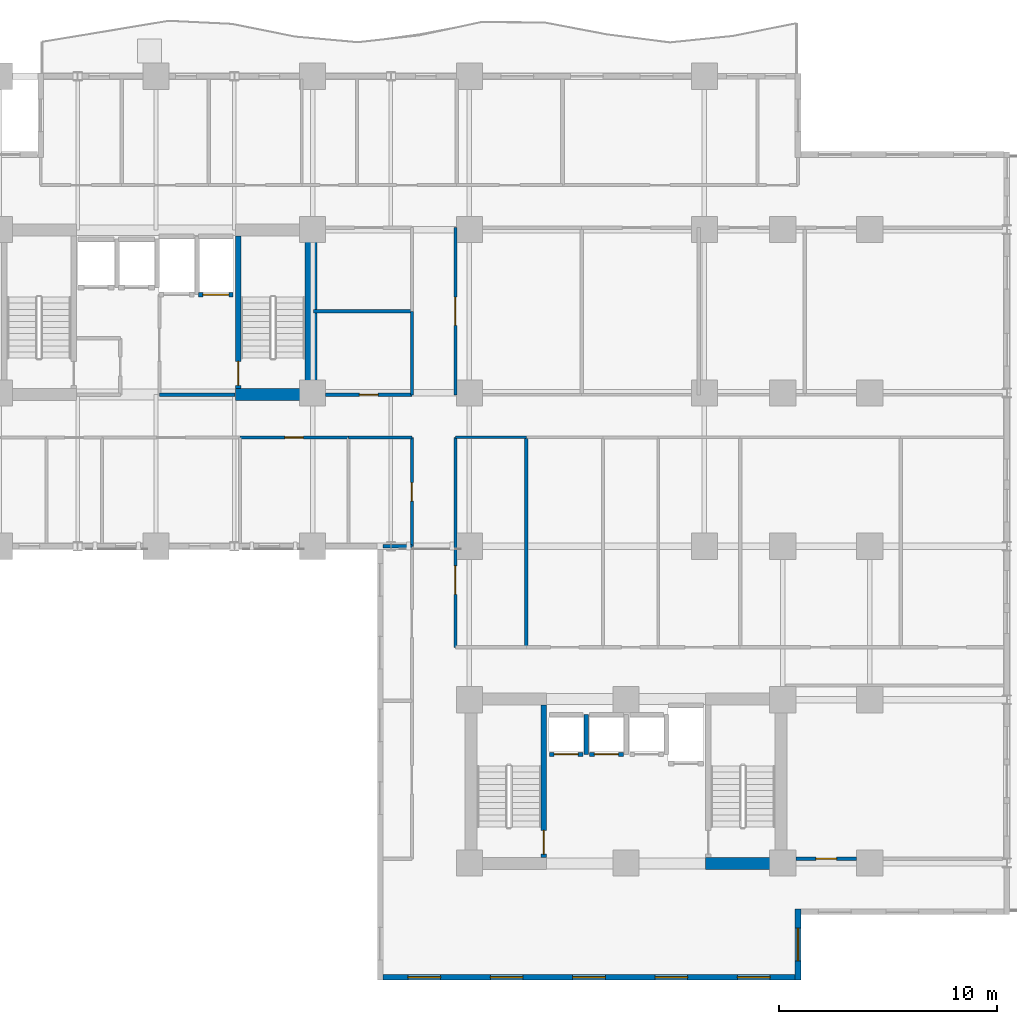
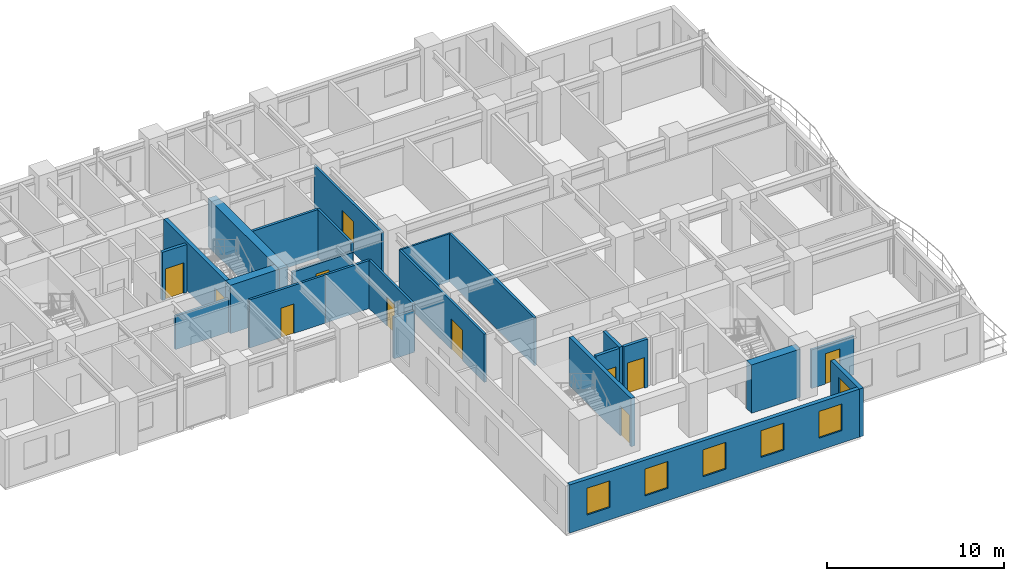
# One storey, part 4 of 11: 24 walls, 11 doors, 6 windows, 17 openings.
"""IFC4 building model written with IfcOpenShell, lengths in metres."""

from ifc_helpers import new_model, si_unit, direction, frame, frame_2d, origin, place, context, subcontext, project, spatial, rectangle, extrude, material, layer, layer_set, type_object, element, fill, save


model = new_model("IFC4")

# Units and contexts
model_context = context("Model", 3, precision=1e-05, world=origin(), true_north=direction((0.0, 1.0)))
body_context = subcontext(model_context, "Body", "Model", "MODEL_VIEW")
ifc_project = project(units=[si_unit("LENGTHUNIT", "METRE"), si_unit("AREAUNIT", "SQUARE_METRE"), si_unit("VOLUMEUNIT", "CUBIC_METRE"), si_unit("PLANEANGLEUNIT", "RADIAN"), si_unit("MASSUNIT", "GRAM", prefix="KILO")], contexts=[model_context])

# Site, building, storey
site_placement = place(None, origin())
site = spatial("IfcSite", under=ifc_project, at=site_placement, CompositionType="ELEMENT")
building_placement = place(site_placement, origin())
building = spatial("IfcBuilding", under=site, at=building_placement, Name="Kaliganga Portal Commons", CompositionType="ELEMENT")
storey_placement = place(building_placement, frame((0.0, 0.0, 126.699951171875)))
storey = spatial("IfcBuildingStorey", under=building, at=storey_placement, Name="L32", CompositionType="ELEMENT", Elevation=126.699951171875)

# Walls
ifc_material_1 = material(Name="Concrete C60/75", Category="concrete")
ifc_layer_1 = layer(ifc_material_1, 0.550048828125)
ifc_layer_set_1 = layer_set([ifc_layer_1], Name="Concrete C60/75")
wall_type_1 = type_object("IfcWallType", Name="WL-CORE-550", PredefinedType="SHEAR", material=ifc_layer_set_1)
wall_1_placement = place(storey_placement, frame((28.72509765625, 28.300048828125, 0.0), z_axis=(0.0, 0.0, 1.0), x_axis=(0.0, 1.0, 0.0)))
element("IfcWall", 1, at=wall_1_placement, inside=storey, type_object=wall_type_1, Name="Core A East Shear Wall L32", PredefinedType="SHEAR", context=body_context, shape_type="SweptSolid", body=[
    extrude(rectangle(XDim=8.099853515625, YDim=0.550048828125, at=frame_2d((4.0498046875, 0.0))), origin(), (0.0, 0.0, 1.0), 3.340087890625),
])
for number, where, z_axis, x_axis, name in (
    (2, (25.25, 28.574951171875, 0.0), (0.0, 0.0, 1.0), (1.0, 0.0, 0.0), "Core A S-East Shear Wall L32"),
    (3, (46.85009765625, 7.02490234375, 0.0), (0.0, 0.0, 1.0), (1.0, 0.0, 0.0), "Core B S-East Shear Wall L32"),
):
    element("IfcWall", number, at=place(storey_placement, frame(where, z_axis=z_axis, x_axis=x_axis)), inside=storey, type_object=wall_type_1, Name=name, PredefinedType="SHEAR", context=body_context, shape_type="SweptSolid", body=[
        extrude(rectangle(XDim=3.199951171875, YDim=0.550048828125, at=frame_2d((1.60009765625, 0.0))), origin(), (0.0, 0.0, 1.0), 3.340087890625),
    ])

# Wall, openings, windows
ifc_material_2 = material(Name="Insulated Aluminium-Clad Spandrel Assembly", Category="aluminium")
ifc_layer_2 = layer(ifc_material_2, 0.260009765625)
ifc_layer_set_2 = layer_set([ifc_layer_2], Name="Insulated Aluminium-Clad Spandrel Assembly")
wall_type_2 = type_object("IfcWallType", Name="WL-EXT-SPAND-260", PredefinedType="STANDARD", material=ifc_layer_set_2)
wall_2_placement = place(storey_placement, frame((50.965087890625, 1.800048828125, 0.0), z_axis=(0.0, 0.0, 1.0), x_axis=(-1.0, 0.0, 0.0)))
wall_2 = element("IfcWall", 4, at=wall_2_placement, inside=storey, type_object=wall_type_2, Name="Exterior Envelope Wall L32 P1-E00-S1", PredefinedType="STANDARD", context=body_context, shape_type="SweptSolid", body=[
    extrude(rectangle(XDim=18.93017578125, YDim=0.260009765625, at=frame_2d((9.465087890625, 0.0))), origin(), (0.0, 0.0, 1.0), 3.320068359375),
])
opening_1_placement = place(wall_2_placement, frame((1.14306640625, 0.0, 0.85009765625)))
opening_1 = element("IfcOpeningElement", 5, at=opening_1_placement, cuts=wall_2, Name="Opening W-02", PredefinedType="OPENING", context=body_context, shape_type="SweptSolid", body=[
    extrude(rectangle(XDim=1.5, YDim=1.85009765625, at=frame_2d((0.75, 0.925048828125))), frame((0.0, 0.14013671875, 0.0), z_axis=(0.0, -1.0, 0.0), x_axis=(1.0, 0.0, 0.0)), (0.0, 0.0, 1.0), 0.280029296875),
])
opening_2_placement = place(wall_2_placement, frame((4.928955078125, 0.0, 0.85009765625)))
opening_2 = element("IfcOpeningElement", 6, at=opening_2_placement, cuts=wall_2, Name="Opening W-02", PredefinedType="OPENING", context=body_context, shape_type="SweptSolid", body=[
    extrude(rectangle(XDim=1.5, YDim=1.85009765625, at=frame_2d((0.75, 0.925048828125))), frame((0.0, 0.14013671875, 0.0), z_axis=(0.0, -1.0, 0.0), x_axis=(1.0, 0.0, 0.0)), (0.0, 0.0, 1.0), 0.280029296875),
])
opening_3_placement = place(wall_2_placement, frame((8.715087890625, 0.0, 0.85009765625)))
opening_3 = element("IfcOpeningElement", 7, at=opening_3_placement, cuts=wall_2, Name="Opening W-02", PredefinedType="OPENING", context=body_context, shape_type="SweptSolid", body=[
    extrude(rectangle(XDim=1.5, YDim=1.85009765625, at=frame_2d((0.75, 0.925048828125))), frame((0.0, 0.14013671875, 0.0), z_axis=(0.0, -1.0, 0.0), x_axis=(1.0, 0.0, 0.0)), (0.0, 0.0, 1.0), 0.280029296875),
])
opening_4_placement = place(wall_2_placement, frame((12.5009765625, 0.0, 0.85009765625)))
opening_4 = element("IfcOpeningElement", 8, at=opening_4_placement, cuts=wall_2, Name="Opening W-02", PredefinedType="OPENING", context=body_context, shape_type="SweptSolid", body=[
    extrude(rectangle(XDim=1.5, YDim=1.85009765625, at=frame_2d((0.75, 0.925048828125))), frame((0.0, 0.14013671875, 0.0), z_axis=(0.0, -1.0, 0.0), x_axis=(1.0, 0.0, 0.0)), (0.0, 0.0, 1.0), 0.280029296875),
])
opening_5_placement = place(wall_2_placement, frame((16.287109375, 0.0, 0.85009765625)))
opening_5 = element("IfcOpeningElement", 9, at=opening_5_placement, cuts=wall_2, Name="Opening W-02", PredefinedType="OPENING", context=body_context, shape_type="SweptSolid", body=[
    extrude(rectangle(XDim=1.5, YDim=1.85009765625, at=frame_2d((0.75, 0.925048828125))), frame((0.0, 0.14013671875, 0.0), z_axis=(0.0, -1.0, 0.0), x_axis=(1.0, 0.0, 0.0)), (0.0, 0.0, 1.0), 0.280029296875),
])
ifc_material_3 = material(Name="Thermally Broken Aluminium and Low-E Double Glazing", Category="aluminium")
window_type = type_object("IfcWindowType", Name="WIN-STD-1500", PartitioningType="DOUBLE_PANEL_VERTICAL", PredefinedType="WINDOW", material=ifc_material_3)
window_1_placement = place(opening_1_placement, origin())
window_1 = element("IfcWindow", 10, at=window_1_placement, inside=storey, type_object=window_type, Name="Facade Window L32-P1E00S1-00", OverallHeight=1.85009765625, OverallWidth=1.5, PartitioningType="SINGLE_PANEL", PredefinedType="WINDOW", context=body_context, shape_type="SweptSolid", body=[
    extrude(rectangle(XDim=1.5, YDim=1.85009765625, at=frame_2d((0.75, 0.925048828125))), frame((0.0, 0.030029296875, 0.0), z_axis=(0.0, -1.0, 0.0), x_axis=(1.0, 0.0, 0.0)), (0.0, 0.0, 1.0), 0.06005859375),
])
fill(opening_1, window_1)
window_2_placement = place(opening_2_placement, origin())
window_2 = element("IfcWindow", 11, at=window_2_placement, inside=storey, type_object=window_type, Name="Facade Window L32-P1E00S1-01", OverallHeight=1.85009765625, OverallWidth=1.5, PartitioningType="SINGLE_PANEL", PredefinedType="WINDOW", context=body_context, shape_type="SweptSolid", body=[
    extrude(rectangle(XDim=1.5, YDim=1.85009765625, at=frame_2d((0.75, 0.925048828125))), frame((0.0, 0.030029296875, 0.0), z_axis=(0.0, -1.0, 0.0), x_axis=(1.0, 0.0, 0.0)), (0.0, 0.0, 1.0), 0.06005859375),
])
fill(opening_2, window_2)
window_3_placement = place(opening_3_placement, origin())
window_3 = element("IfcWindow", 12, at=window_3_placement, inside=storey, type_object=window_type, Name="Facade Window L32-P1E00S1-02", OverallHeight=1.85009765625, OverallWidth=1.5, PartitioningType="SINGLE_PANEL", PredefinedType="WINDOW", context=body_context, shape_type="SweptSolid", body=[
    extrude(rectangle(XDim=1.5, YDim=1.85009765625, at=frame_2d((0.75, 0.925048828125))), frame((0.0, 0.030029296875, 0.0), z_axis=(0.0, -1.0, 0.0), x_axis=(1.0, 0.0, 0.0)), (0.0, 0.0, 1.0), 0.06005859375),
])
fill(opening_3, window_3)
window_4_placement = place(opening_4_placement, origin())
window_4 = element("IfcWindow", 13, at=window_4_placement, inside=storey, type_object=window_type, Name="Facade Window L32-P1E00S1-03", OverallHeight=1.85009765625, OverallWidth=1.5, PartitioningType="SINGLE_PANEL", PredefinedType="WINDOW", context=body_context, shape_type="SweptSolid", body=[
    extrude(rectangle(XDim=1.5, YDim=1.85009765625, at=frame_2d((0.75, 0.925048828125))), frame((0.0, 0.030029296875, 0.0), z_axis=(0.0, -1.0, 0.0), x_axis=(1.0, 0.0, 0.0)), (0.0, 0.0, 1.0), 0.06005859375),
])
fill(opening_4, window_4)
window_5_placement = place(opening_5_placement, origin())
window_5 = element("IfcWindow", 14, at=window_5_placement, inside=storey, type_object=window_type, Name="Facade Window L32-P1E00S1-04", OverallHeight=1.85009765625, OverallWidth=1.5, PartitioningType="SINGLE_PANEL", PredefinedType="WINDOW", context=body_context, shape_type="SweptSolid", body=[
    extrude(rectangle(XDim=1.5, YDim=1.85009765625, at=frame_2d((0.75, 0.925048828125))), frame((0.0, 0.030029296875, 0.0), z_axis=(0.0, -1.0, 0.0), x_axis=(1.0, 0.0, 0.0)), (0.0, 0.0, 1.0), 0.06005859375),
])
fill(opening_5, window_5)

# Wall, opening, window
wall_3_placement = place(storey_placement, frame((51.10009765625, 4.929931640625, 0.0), z_axis=(0.0, 0.0, 1.0), x_axis=(0.0, -1.0, 0.0)))
wall_3 = element("IfcWall", 15, at=wall_3_placement, inside=storey, type_object=wall_type_2, Name="Exterior Envelope Wall L32 P1-E01-S1", PredefinedType="STANDARD", context=body_context, shape_type="SweptSolid", body=[
    extrude(rectangle(XDim=3.260009765625, YDim=0.260009765625, at=frame_2d((1.6298828125, 0.0))), origin(), (0.0, 0.0, 1.0), 3.320068359375),
])
opening_6_placement = place(wall_3_placement, frame((0.8798828125, 0.0, 0.85009765625)))
opening_6 = element("IfcOpeningElement", 16, at=opening_6_placement, cuts=wall_3, Name="Opening W-02", PredefinedType="OPENING", context=body_context, shape_type="SweptSolid", body=[
    extrude(rectangle(XDim=1.5, YDim=1.85009765625, at=frame_2d((0.75, 0.925048828125))), frame((0.0, 0.14013671875, 0.0), z_axis=(0.0, -1.0, 0.0), x_axis=(1.0, 0.0, 0.0)), (0.0, 0.0, 1.0), 0.280029296875),
])
window_6_placement = place(opening_6_placement, origin())
window_6 = element("IfcWindow", 17, at=window_6_placement, inside=storey, type_object=window_type, Name="Facade Window L32-P1E01S1-00", OverallHeight=1.85009765625, OverallWidth=1.5, PartitioningType="SINGLE_PANEL", PredefinedType="WINDOW", context=body_context, shape_type="SweptSolid", body=[
    extrude(rectangle(XDim=1.5, YDim=1.85009765625, at=frame_2d((0.75, 0.925048828125))), frame((0.0, 0.030029296875, 0.0), z_axis=(0.0, -1.0, 0.0), x_axis=(1.0, 0.0, 0.0)), (0.0, 0.0, 1.0), 0.06005859375),
])
fill(opening_6, window_6)

# Wall, opening, door
ifc_material_4 = material(Name="Fire-Rated Gypsum Board on Steel Stud", Category="steel")
ifc_layer_3 = layer(ifc_material_4, 0.14990234375)
ifc_layer_set_3 = layer_set([ifc_layer_3], Name="Fire-Rated Gypsum Board on Steel Stud")
wall_type_3 = type_object("IfcWallType", Name="WL-PART-CORR-150", PredefinedType="PARTITIONING", material=ifc_layer_set_3)
wall_4_placement = place(storey_placement, frame((51.0, 7.239990234375, 0.0), z_axis=(0.0, 0.0, 1.0), x_axis=(1.0, 0.0, 0.0)))
wall_4 = element("IfcWall", 18, at=wall_4_placement, inside=storey, type_object=wall_type_3, Name="Interior Partition L32-001", PredefinedType="PARTITIONING", context=body_context, shape_type="SweptSolid", body=[
    extrude(rectangle(XDim=2.800048828125, YDim=0.14990234375, at=frame_2d((1.39990234375, 0.0))), origin(), (0.0, 0.0, 1.0), 2.670166015625),
])
opening_7_placement = place(wall_4_placement, frame((0.925048828125, 0.0, 0.0)))
opening_7 = element("IfcOpeningElement", 19, at=opening_7_placement, cuts=wall_4, Name="Opening UD-01", PredefinedType="OPENING", context=body_context, shape_type="SweptSolid", body=[
    extrude(rectangle(XDim=0.949951171875, YDim=2.10009765625, at=frame_2d((0.47509765625, 1.050048828125))), frame((0.0, 0.0849609375, 0.0), z_axis=(0.0, -1.0, 0.0), x_axis=(1.0, 0.0, 0.0)), (0.0, 0.0, 1.0), 0.169921875),
])
ifc_material_5 = material(Name="Solid-Core Timber Acoustic Fire Door", Category="wood")
door_type_1 = type_object("IfcDoorType", Name="DR-UNIT-950", OperationType="NOTDEFINED", PredefinedType="DOOR", material=ifc_material_5)
door_1_placement = place(opening_7_placement, origin())
door_1 = element("IfcDoor", 20, at=door_1_placement, inside=storey, type_object=door_type_1, Name="Interior Door L32-BE01", OperationType="SINGLE_SWING_RIGHT", OverallHeight=2.10009765625, OverallWidth=0.949951171875, PredefinedType="DOOR", context=body_context, shape_type="SweptSolid", body=[
    extrude(rectangle(XDim=0.949951171875, YDim=2.10009765625, at=frame_2d((0.47509765625, 1.050048828125))), frame((0.0, 0.02490234375, 0.0), z_axis=(0.0, -1.0, 0.0), x_axis=(1.0, 0.0, 0.0)), (0.0, 0.0, 1.0), 0.050048828125),
])
fill(opening_7, door_1)

wall_5_placement = place(storey_placement, frame((35.360107421875, 16.9599609375, 0.0), z_axis=(0.0, 0.0, 1.0), x_axis=(0.0, 1.0, 0.0)))
wall_5 = element("IfcWall", 21, at=wall_5_placement, inside=storey, type_object=wall_type_3, Name="Interior Partition L32-004", PredefinedType="PARTITIONING", context=body_context, shape_type="SweptSolid", body=[
    extrude(rectangle(XDim=9.64013671875, YDim=0.14990234375, at=frame_2d((4.820068359375, 0.0))), origin(), (0.0, 0.0, 1.0), 3.320068359375),
])
opening_8_placement = place(wall_5_placement, frame((2.434814453125, 0.0, 0.0)))
opening_8 = element("IfcOpeningElement", 22, at=opening_8_placement, cuts=wall_5, Name="Opening RD-03", PredefinedType="OPENING", context=body_context, shape_type="SweptSolid", body=[
    extrude(rectangle(XDim=1.300048828125, YDim=2.1201171875, at=frame_2d((0.64990234375, 1.06005859375))), frame((0.0, 0.0849609375, 0.0), z_axis=(0.0, -1.0, 0.0), x_axis=(1.0, 0.0, 0.0)), (0.0, 0.0, 1.0), 0.169921875),
])
ifc_material_6 = material(Name="Glazed Timber Seminar Vision Door", Category="wood")
door_type_2 = type_object("IfcDoorType", Name="DR-STUDY-1300", OperationType="DOUBLE_DOOR_SINGLE_SWING", PredefinedType="DOOR", material=ifc_material_6)
door_2_placement = place(opening_8_placement, origin())
door_2 = element("IfcDoor", 23, at=door_2_placement, inside=storey, type_object=door_type_2, Name="Interior Door L32-BM01", OperationType="DOUBLE_DOOR_SINGLE_SWING", OverallHeight=2.1201171875, OverallWidth=1.300048828125, PredefinedType="DOOR", context=body_context, shape_type="SweptSolid", body=[
    extrude(rectangle(XDim=1.300048828125, YDim=2.1201171875, at=frame_2d((0.64990234375, 1.06005859375))), frame((0.0, 0.02490234375, 0.0), z_axis=(0.0, -1.0, 0.0), x_axis=(1.0, 0.0, 0.0)), (0.0, 0.0, 1.0), 0.050048828125),
])
fill(opening_8, door_2)

wall_6_placement = place(storey_placement, frame((35.360107421875, 28.56005859375, 0.0), z_axis=(0.0, 0.0, 1.0), x_axis=(0.0, 1.0, 0.0)))
wall_6 = element("IfcWall", 24, at=wall_6_placement, inside=storey, type_object=wall_type_3, Name="Interior Partition L32-008", PredefinedType="PARTITIONING", context=body_context, shape_type="SweptSolid", body=[
    extrude(rectangle(XDim=7.679931640625, YDim=0.14990234375, at=frame_2d((3.83984375, 0.0))), origin(), (0.0, 0.0, 1.0), 3.320068359375),
])
opening_9_placement = place(wall_6_placement, frame((3.18994140625, 0.0, 0.0)))
opening_9 = element("IfcOpeningElement", 25, at=opening_9_placement, cuts=wall_6, Name="Opening RD-03", PredefinedType="OPENING", context=body_context, shape_type="SweptSolid", body=[
    extrude(rectangle(XDim=1.300048828125, YDim=2.1201171875, at=frame_2d((0.64990234375, 1.06005859375))), frame((0.0, 0.0849609375, 0.0), z_axis=(0.0, -1.0, 0.0), x_axis=(1.0, 0.0, 0.0)), (0.0, 0.0, 1.0), 0.169921875),
])
door_3_placement = place(opening_9_placement, origin())
door_3 = element("IfcDoor", 26, at=door_3_placement, inside=storey, type_object=door_type_2, Name="Interior Door L32-BK01", OperationType="DOUBLE_DOOR_SINGLE_SWING", OverallHeight=2.1201171875, OverallWidth=1.300048828125, PredefinedType="DOOR", context=body_context, shape_type="SweptSolid", body=[
    extrude(rectangle(XDim=1.300048828125, YDim=2.1201171875, at=frame_2d((0.64990234375, 1.06005859375))), frame((0.0, 0.02490234375, 0.0), z_axis=(0.0, -1.0, 0.0), x_axis=(1.0, 0.0, 0.0)), (0.0, 0.0, 1.0), 0.050048828125),
])
fill(opening_9, door_3)

wall_7_placement = place(storey_placement, frame((33.360107421875, 21.60009765625, 0.0), z_axis=(0.0, 0.0, 1.0), x_axis=(0.0, 1.0, 0.0)))
wall_7 = element("IfcWall", 27, at=wall_7_placement, inside=storey, type_object=wall_type_3, Name="Interior Partition L32-016", PredefinedType="PARTITIONING", context=body_context, shape_type="SweptSolid", body=[
    extrude(rectangle(XDim=5.0, YDim=0.14990234375, at=frame_2d((2.5, 0.0))), origin(), (0.0, 0.0, 1.0), 3.320068359375),
])
opening_10_placement = place(wall_7_placement, frame((2.070068359375, 0.0, 0.0)))
opening_10 = element("IfcOpeningElement", 28, at=opening_10_placement, cuts=wall_7, Name="Opening WD-02", PredefinedType="OPENING", context=body_context, shape_type="SweptSolid", body=[
    extrude(rectangle(XDim=0.860107421875, YDim=2.02001953125, at=frame_2d((0.43017578125, 1.010009765625))), frame((0.0, 0.0849609375, 0.0), z_axis=(0.0, -1.0, 0.0), x_axis=(1.0, 0.0, 0.0)), (0.0, 0.0, 1.0), 0.169921875),
])
ifc_material_7 = material(Name="Fire-Rated Utility Closet Door", Category="wood")
door_type_3 = type_object("IfcDoorType", Name="DR-STORE-800", OperationType="NOTDEFINED", PredefinedType="DOOR", material=ifc_material_7)
door_4_placement = place(opening_10_placement, origin())
door_4 = element("IfcDoor", 29, at=door_4_placement, inside=storey, type_object=door_type_3, Name="Interior Door L32-AS06", OperationType="SINGLE_SWING_LEFT", OverallHeight=2.02001953125, OverallWidth=0.860107421875, PredefinedType="DOOR", context=body_context, shape_type="SweptSolid", body=[
    extrude(rectangle(XDim=0.860107421875, YDim=2.02001953125, at=frame_2d((0.43017578125, 1.010009765625))), frame((0.0, 0.02490234375, 0.0), z_axis=(0.0, -1.0, 0.0), x_axis=(1.0, 0.0, 0.0)), (0.0, 0.0, 1.0), 0.050048828125),
])
fill(opening_10, door_4)

wall_8_placement = place(storey_placement, frame((25.4599609375, 26.60009765625, 0.0), z_axis=(0.0, 0.0, 1.0), x_axis=(1.0, 0.0, 0.0)))
wall_8 = element("IfcWall", 30, at=wall_8_placement, inside=storey, type_object=wall_type_3, Name="Interior Partition L32-017", PredefinedType="PARTITIONING", context=body_context, shape_type="SweptSolid", body=[
    extrude(rectangle(XDim=4.97998046875, YDim=0.14990234375, at=frame_2d((2.489990234375, 0.0))), origin(), (0.0, 0.0, 1.0), 3.320068359375),
])
opening_11_placement = place(wall_8_placement, frame((2.06494140625, 0.0, 0.0)))
opening_11 = element("IfcOpeningElement", 31, at=opening_11_placement, cuts=wall_8, Name="Opening WD-01", PredefinedType="OPENING", context=body_context, shape_type="SweptSolid", body=[
    extrude(rectangle(XDim=0.85009765625, YDim=2.0400390625, at=frame_2d((0.425048828125, 1.02001953125))), frame((0.0, 0.0849609375, 0.0), z_axis=(0.0, -1.0, 0.0), x_axis=(1.0, 0.0, 0.0)), (0.0, 0.0, 1.0), 0.169921875),
])
ifc_material_8 = material(Name="Moisture-Resistant Laminate Timber Door", Category="wood")
door_type_4 = type_object("IfcDoorType", Name="DR-WET-850", OperationType="NOTDEFINED", PredefinedType="DOOR", material=ifc_material_8)
door_5_placement = place(opening_11_placement, origin())
door_5 = element("IfcDoor", 32, at=door_5_placement, inside=storey, type_object=door_type_4, Name="Interior Door L32-AS05", OperationType="SINGLE_SWING_RIGHT", OverallHeight=2.0400390625, OverallWidth=0.85009765625, PredefinedType="DOOR", context=body_context, shape_type="SweptSolid", body=[
    extrude(rectangle(XDim=0.85009765625, YDim=2.0400390625, at=frame_2d((0.425048828125, 1.02001953125))), frame((0.0, 0.02490234375, 0.0), z_axis=(0.0, -1.0, 0.0), x_axis=(1.0, 0.0, 0.0)), (0.0, 0.0, 1.0), 0.050048828125),
])
fill(opening_11, door_5)

wall_9_placement = place(storey_placement, frame((29.39990234375, 28.56005859375, 0.0), z_axis=(0.0, 0.0, 1.0), x_axis=(1.0, 0.0, 0.0)))
wall_9 = element("IfcWall", 33, at=wall_9_placement, inside=storey, type_object=wall_type_3, Name="Interior Partition L32-024", PredefinedType="PARTITIONING", context=body_context, shape_type="SweptSolid", body=[
    extrude(rectangle(XDim=3.960205078125, YDim=0.14990234375, at=frame_2d((1.97998046875, 0.0))), origin(), (0.0, 0.0, 1.0), 2.670166015625),
])
opening_12_placement = place(wall_9_placement, frame((1.550048828125, 0.0, 0.0)))
opening_12 = element("IfcOpeningElement", 34, at=opening_12_placement, cuts=wall_9, Name="Opening WD-02", PredefinedType="OPENING", context=body_context, shape_type="SweptSolid", body=[
    extrude(rectangle(XDim=0.860107421875, YDim=2.02001953125, at=frame_2d((0.43017578125, 1.010009765625))), frame((0.0, 0.0849609375, 0.0), z_axis=(0.0, -1.0, 0.0), x_axis=(1.0, 0.0, 0.0)), (0.0, 0.0, 1.0), 0.169921875),
])
door_6_placement = place(opening_12_placement, origin())
door_6 = element("IfcDoor", 35, at=door_6_placement, inside=storey, type_object=door_type_3, Name="Interior Door L32-CSRV_A1", OperationType="SINGLE_SWING_RIGHT", OverallHeight=2.02001953125, OverallWidth=0.860107421875, PredefinedType="DOOR", context=body_context, shape_type="SweptSolid", body=[
    extrude(rectangle(XDim=0.860107421875, YDim=2.02001953125, at=frame_2d((0.43017578125, 1.010009765625))), frame((0.0, 0.02490234375, 0.0), z_axis=(0.0, -1.0, 0.0), x_axis=(1.0, 0.0, 0.0)), (0.0, 0.0, 1.0), 0.050048828125),
])
fill(opening_12, door_6)

# Walls
wall_10_placement = place(storey_placement, frame((33.360107421875, 28.56005859375, 0.0), z_axis=(0.0, 0.0, 1.0), x_axis=(0.0, 1.0, 0.0)))
element("IfcWall", 36, at=wall_10_placement, inside=storey, type_object=wall_type_3, Name="Interior Partition L32-029", PredefinedType="PARTITIONING", context=body_context, shape_type="SweptSolid", body=[
    extrude(rectangle(XDim=3.83984375, YDim=0.14990234375, at=frame_2d((1.919921875, 0.0))), origin(), (0.0, 0.0, 1.0), 3.320068359375),
])
wall_11_placement = place(storey_placement, frame((30.43994140625, 26.60009765625, 0.0), z_axis=(0.0, 0.0, 1.0), x_axis=(1.0, 0.0, 0.0)))
element("IfcWall", 37, at=wall_11_placement, inside=storey, type_object=wall_type_3, Name="Interior Partition L32-034", PredefinedType="PARTITIONING", context=body_context, shape_type="SweptSolid", body=[
    extrude(rectangle(XDim=2.920166015625, YDim=0.14990234375, at=frame_2d((1.4599609375, 0.0))), origin(), (0.0, 0.0, 1.0), 3.320068359375),
])
wall_12_placement = place(storey_placement, frame((21.760009765625, 28.56005859375, 0.0), z_axis=(0.0, 0.0, 1.0), x_axis=(1.0, 0.0, 0.0)))
element("IfcWall", 38, at=wall_12_placement, inside=storey, type_object=wall_type_3, Name="Interior Partition L32-077", PredefinedType="PARTITIONING", context=body_context, shape_type="SweptSolid", body=[
    extrude(rectangle(XDim=3.47998046875, YDim=0.14990234375, at=frame_2d((1.739990234375, 0.0))), origin(), (0.0, 0.0, 1.0), 2.320068359375),
])
ifc_material_9 = material(Name="Moisture-Resistant Gypsum Partition", Category="gypsum")
ifc_layer_4 = layer(ifc_material_9, 0.114990234375)
ifc_layer_set_4 = layer_set([ifc_layer_4], Name="Moisture-Resistant Gypsum Partition")
wall_type_4 = type_object("IfcWallType", Name="WL-PART-ROOM-115", PredefinedType="PARTITIONING", material=ifc_layer_set_4)
wall_13_placement = place(storey_placement, frame((35.360107421875, 26.60009765625, 0.0), z_axis=(0.0, 0.0, 1.0), x_axis=(1.0, 0.0, 0.0)))
element("IfcWall", 39, at=wall_13_placement, inside=storey, type_object=wall_type_4, Name="Interior Partition L32-078", PredefinedType="PARTITIONING", context=body_context, shape_type="SweptSolid", body=[
    extrude(rectangle(XDim=3.260009765625, YDim=0.114990234375, at=frame_2d((1.6298828125, 0.0))), origin(), (0.0, 0.0, 1.0), 3.320068359375),
])
ifc_material_10 = material(Name="Twin-Stud Acoustic Gypsum Partition", Category="gypsum")
ifc_layer_5 = layer(ifc_material_10, 0.1650390625)
ifc_layer_set_5 = layer_set([ifc_layer_5], Name="Twin-Stud Acoustic Gypsum Partition")
wall_type_5 = type_object("IfcWallType", Name="WL-PART-UNIT-165", PredefinedType="PARTITIONING", material=ifc_layer_set_5)
wall_14_placement = place(storey_placement, frame((38.6201171875, 16.9599609375, 0.0), z_axis=(0.0, 0.0, 1.0), x_axis=(0.0, 1.0, 0.0)))
element("IfcWall", 40, at=wall_14_placement, inside=storey, type_object=wall_type_5, Name="Interior Partition L32-043", PredefinedType="PARTITIONING", context=body_context, shape_type="SweptSolid", body=[
    extrude(rectangle(XDim=9.64013671875, YDim=0.1650390625, at=frame_2d((4.820068359375, 0.0))), origin(), (0.0, 0.0, 1.0), 3.320068359375),
])
wall_15_placement = place(storey_placement, frame((28.840087890625, 32.39990234375, 0.0), z_axis=(0.0, 0.0, 1.0), x_axis=(1.0, 0.0, 0.0)))
element("IfcWall", 41, at=wall_15_placement, inside=storey, type_object=wall_type_5, Name="Interior Partition L32-074", PredefinedType="PARTITIONING", context=body_context, shape_type="SweptSolid", body=[
    extrude(rectangle(XDim=4.52001953125, YDim=0.1650390625, at=frame_2d((2.260009765625, 0.0))), origin(), (0.0, 0.0, 1.0), 3.320068359375),
])
wall_16_placement = place(storey_placement, frame((32.031982421875, 21.60009765625, 0.0), z_axis=(0.0, 0.0, 1.0), x_axis=(1.0, 0.0, 0.0)))
element("IfcWall", 42, at=wall_16_placement, inside=storey, type_object=wall_type_5, Name="Interior Partition L32-081", PredefinedType="PARTITIONING", context=body_context, shape_type="SweptSolid", body=[
    extrude(rectangle(XDim=1.328125, YDim=0.1650390625, at=frame_2d((0.6640625, 0.0))), origin(), (0.0, 0.0, 1.0), 2.8701171875),
])

# Wall, opening, door
ifc_material_11 = material(Name="Fire-Rated Shaftwall Masonry Assembly", Category="masonry")
ifc_layer_6 = layer(ifc_material_11, 0.199951171875)
ifc_layer_set_6 = layer_set([ifc_layer_6], Name="Fire-Rated Shaftwall Masonry Assembly")
wall_type_6 = type_object("IfcWallType", Name="WL-SHAFT-200", PredefinedType="PARTITIONING", material=ifc_layer_set_6)
wall_17_placement = place(storey_placement, frame((23.550048828125, 33.159912109375, 0.0), z_axis=(0.0, 0.0, 1.0), x_axis=(1.0, 0.0, 0.0)))
wall_17 = element("IfcWall", 43, at=wall_17_placement, inside=storey, type_object=wall_type_6, Name="Lift FFL-2 Hoistway Shaft Wall L32-S", PredefinedType="PARTITIONING", context=body_context, shape_type="SweptSolid", body=[
    extrude(rectangle(XDim=1.599853515625, YDim=0.199951171875, at=frame_2d((0.7998046875, 0.0))), origin(), (0.0, 0.0, 1.0), 3.320068359375),
])
opening_13_placement = place(wall_17_placement, frame((0.199951171875, 0.0, 0.0)))
opening_13 = element("IfcOpeningElement", 44, at=opening_13_placement, cuts=wall_17, Name="Opening LD-02", PredefinedType="OPENING", context=body_context, shape_type="SweptSolid", body=[
    extrude(rectangle(XDim=1.199951171875, YDim=2.1201171875, at=frame_2d((0.60009765625, 1.06005859375))), frame((0.0, 0.10986328125, 0.0), z_axis=(0.0, -1.0, 0.0), x_axis=(1.0, 0.0, 0.0)), (0.0, 0.0, 1.0), 0.219970703125),
])
ifc_material_12 = material(Name="Brushed Stainless Steel 316 Stretcher Lift Landing Door", Category="steel")
door_type_5 = type_object("IfcDoorType", Name="DR-LIFT-1200", OperationType="SLIDING_TO_RIGHT", PredefinedType="DOOR", material=ifc_material_12)
door_7_placement = place(opening_13_placement, origin())
door_7 = element("IfcDoor", 45, at=door_7_placement, inside=storey, type_object=door_type_5, Name="Lift FFL-2 Sliding Landing Door L32", OperationType="SLIDING_TO_RIGHT", OverallHeight=2.1201171875, OverallWidth=1.199951171875, PredefinedType="DOOR", context=body_context, shape_type="SweptSolid", body=[
    extrude(rectangle(XDim=1.199951171875, YDim=2.1201171875, at=frame_2d((0.60009765625, 1.06005859375))), frame((0.0, 0.02490234375, 0.0), z_axis=(0.0, -1.0, 0.0), x_axis=(1.0, 0.0, 0.0)), (0.0, 0.0, 1.0), 0.050048828125),
])
fill(opening_13, door_7)

wall_18_placement = place(storey_placement, frame((39.675048828125, 12.034912109375, 0.0), z_axis=(0.0, 0.0, 1.0), x_axis=(1.0, 0.0, 0.0)))
wall_18 = element("IfcWall", 46, at=wall_18_placement, inside=storey, type_object=wall_type_6, Name="Lift PL-B1 Hoistway Shaft Wall L32-S", PredefinedType="PARTITIONING", context=body_context, shape_type="SweptSolid", body=[
    extrude(rectangle(XDim=1.550048828125, YDim=0.199951171875, at=frame_2d((0.77490234375, 0.0))), origin(), (0.0, 0.0, 1.0), 3.320068359375),
])
opening_14_placement = place(wall_18_placement, frame((0.22509765625, 0.0, 0.0)))
opening_14 = element("IfcOpeningElement", 47, at=opening_14_placement, cuts=wall_18, Name="Opening LD-01", PredefinedType="OPENING", context=body_context, shape_type="SweptSolid", body=[
    extrude(rectangle(XDim=1.10009765625, YDim=2.1201171875, at=frame_2d((0.550048828125, 1.06005859375))), frame((0.0, 0.10986328125, 0.0), z_axis=(0.0, -1.0, 0.0), x_axis=(1.0, 0.0, 0.0)), (0.0, 0.0, 1.0), 0.219970703125),
])
ifc_material_13 = material(Name="Brushed Stainless Steel 316 Lift Landing Door", Category="steel")
door_type_6 = type_object("IfcDoorType", Name="DR-LIFT-1100", OperationType="SLIDING_TO_LEFT", PredefinedType="DOOR", material=ifc_material_13)
door_8_placement = place(opening_14_placement, origin())
door_8 = element("IfcDoor", 48, at=door_8_placement, inside=storey, type_object=door_type_6, Name="Lift PL-B1 Sliding Landing Door L32", OperationType="SLIDING_TO_LEFT", OverallHeight=2.1201171875, OverallWidth=1.10009765625, PredefinedType="DOOR", context=body_context, shape_type="SweptSolid", body=[
    extrude(rectangle(XDim=1.10009765625, YDim=2.1201171875, at=frame_2d((0.550048828125, 1.06005859375))), frame((0.0, 0.02490234375, 0.0), z_axis=(0.0, -1.0, 0.0), x_axis=(1.0, 0.0, 0.0)), (0.0, 0.0, 1.0), 0.050048828125),
])
fill(opening_14, door_8)

# Wall
wall_19_placement = place(storey_placement, frame((41.364990234375, 12.034912109375, 0.0), z_axis=(0.0, 0.0, 1.0), x_axis=(0.0, 1.0, 0.0)))
element("IfcWall", 49, at=wall_19_placement, inside=storey, type_object=wall_type_6, Name="Lift PL-B1 Hoistway Shaft Wall L32-E", PredefinedType="PARTITIONING", context=body_context, shape_type="SweptSolid", body=[
    extrude(rectangle(XDim=1.830078125, YDim=0.199951171875, at=frame_2d((0.9150390625, 0.0))), origin(), (0.0, 0.0, 1.0), 3.320068359375),
])

# Wall, opening, door
wall_20_placement = place(storey_placement, frame((41.52490234375, 12.034912109375, 0.0), z_axis=(0.0, 0.0, 1.0), x_axis=(1.0, 0.0, 0.0)))
wall_20 = element("IfcWall", 50, at=wall_20_placement, inside=storey, type_object=wall_type_6, Name="Lift PL-B2 Hoistway Shaft Wall L32-S", PredefinedType="PARTITIONING", context=body_context, shape_type="SweptSolid", body=[
    extrude(rectangle(XDim=1.550048828125, YDim=0.199951171875, at=frame_2d((0.77490234375, 0.0))), origin(), (0.0, 0.0, 1.0), 3.320068359375),
])
opening_15_placement = place(wall_20_placement, frame((0.22509765625, 0.0, 0.0)))
opening_15 = element("IfcOpeningElement", 51, at=opening_15_placement, cuts=wall_20, Name="Opening LD-01", PredefinedType="OPENING", context=body_context, shape_type="SweptSolid", body=[
    extrude(rectangle(XDim=1.10009765625, YDim=2.1201171875, at=frame_2d((0.550048828125, 1.06005859375))), frame((0.0, 0.10986328125, 0.0), z_axis=(0.0, -1.0, 0.0), x_axis=(1.0, 0.0, 0.0)), (0.0, 0.0, 1.0), 0.219970703125),
])
door_9_placement = place(opening_15_placement, origin())
door_9 = element("IfcDoor", 52, at=door_9_placement, inside=storey, type_object=door_type_6, Name="Lift PL-B2 Sliding Landing Door L32", OperationType="SLIDING_TO_LEFT", OverallHeight=2.1201171875, OverallWidth=1.10009765625, PredefinedType="DOOR", context=body_context, shape_type="SweptSolid", body=[
    extrude(rectangle(XDim=1.10009765625, YDim=2.1201171875, at=frame_2d((0.550048828125, 1.06005859375))), frame((0.0, 0.02490234375, 0.0), z_axis=(0.0, -1.0, 0.0), x_axis=(1.0, 0.0, 0.0)), (0.0, 0.0, 1.0), 0.050048828125),
])
fill(opening_15, door_9)

ifc_material_14 = material(Name="Concrete C50/60", Category="concrete")
ifc_layer_7 = layer(ifc_material_14, 0.25)
ifc_layer_set_7 = layer_set([ifc_layer_7], Name="Concrete C50/60")
wall_type_7 = type_object("IfcWallType", Name="WL-STAIR-250", PredefinedType="SHEAR", material=ifc_layer_set_7)
wall_21_placement = place(storey_placement, frame((25.375, 28.85009765625, 0.0), z_axis=(0.0, 0.0, 1.0), x_axis=(0.0, 1.0, 0.0)))
wall_21 = element("IfcWall", 53, at=wall_21_placement, inside=storey, type_object=wall_type_7, Name="Stair A2 Enclosure Shear Wall L32", PredefinedType="SHEAR", context=body_context, shape_type="SweptSolid", body=[
    extrude(rectangle(XDim=7.0, YDim=0.25, at=frame_2d((3.5, 0.0))), origin(), (0.0, 0.0, 1.0), 3.340087890625),
])
opening_16_placement = place(wall_21_placement, frame((0.14990234375, 0.0, 0.0)))
opening_16 = element("IfcOpeningElement", 54, at=opening_16_placement, cuts=wall_21, Name="Opening SD-01", PredefinedType="OPENING", context=body_context, shape_type="SweptSolid", body=[
    extrude(rectangle(XDim=1.10009765625, YDim=2.080078125, at=frame_2d((0.550048828125, 1.0400390625))), frame((0.0, 0.135009765625, 0.0), z_axis=(0.0, -1.0, 0.0), x_axis=(1.0, 0.0, 0.0)), (0.0, 0.0, 1.0), 0.27001953125),
])
ifc_material_15 = material(Name="Galvanized Steel Fire Door Leaf and Frame", Category="steel")
door_type_7 = type_object("IfcDoorType", Name="DR-STAIR-1100", OperationType="NOTDEFINED", PredefinedType="DOOR", material=ifc_material_15)
door_10_placement = place(opening_16_placement, origin())
door_10 = element("IfcDoor", 55, at=door_10_placement, inside=storey, type_object=door_type_7, Name="Protected Stair ST-A2 Fire Door L32", OperationType="SINGLE_SWING_LEFT", OverallHeight=2.080078125, OverallWidth=1.10009765625, PredefinedType="DOOR", context=body_context, shape_type="SweptSolid", body=[
    extrude(rectangle(XDim=1.10009765625, YDim=2.080078125, at=frame_2d((0.550048828125, 1.0400390625))), frame((0.0, 0.02490234375, 0.0), z_axis=(0.0, -1.0, 0.0), x_axis=(1.0, 0.0, 0.0)), (0.0, 0.0, 1.0), 0.050048828125),
])
fill(opening_16, door_10)

wall_22_placement = place(storey_placement, frame((39.425048828125, 7.300048828125, 0.0), z_axis=(0.0, 0.0, 1.0), x_axis=(0.0, 1.0, 0.0)))
wall_22 = element("IfcWall", 56, at=wall_22_placement, inside=storey, type_object=wall_type_7, Name="Stair B1 Enclosure Shear Wall L32", PredefinedType="SHEAR", context=body_context, shape_type="SweptSolid", body=[
    extrude(rectangle(XDim=7.0, YDim=0.25, at=frame_2d((3.5, 0.0))), origin(), (0.0, 0.0, 1.0), 3.340087890625),
])
opening_17_placement = place(wall_22_placement, frame((0.14990234375, 0.0, 0.0)))
opening_17 = element("IfcOpeningElement", 57, at=opening_17_placement, cuts=wall_22, Name="Opening SD-01", PredefinedType="OPENING", context=body_context, shape_type="SweptSolid", body=[
    extrude(rectangle(XDim=1.10009765625, YDim=2.080078125, at=frame_2d((0.550048828125, 1.0400390625))), frame((0.0, 0.135009765625, 0.0), z_axis=(0.0, -1.0, 0.0), x_axis=(1.0, 0.0, 0.0)), (0.0, 0.0, 1.0), 0.27001953125),
])
door_11_placement = place(opening_17_placement, origin())
door_11 = element("IfcDoor", 58, at=door_11_placement, inside=storey, type_object=door_type_7, Name="Protected Stair ST-B1 Fire Door L32", OperationType="SINGLE_SWING_RIGHT", OverallHeight=2.080078125, OverallWidth=1.10009765625, PredefinedType="DOOR", context=body_context, shape_type="SweptSolid", body=[
    extrude(rectangle(XDim=1.10009765625, YDim=2.080078125, at=frame_2d((0.550048828125, 1.0400390625))), frame((0.0, 0.02490234375, 0.0), z_axis=(0.0, -1.0, 0.0), x_axis=(1.0, 0.0, 0.0)), (0.0, 0.0, 1.0), 0.050048828125),
])
fill(opening_17, door_11)

save(model, "model.ifc")
